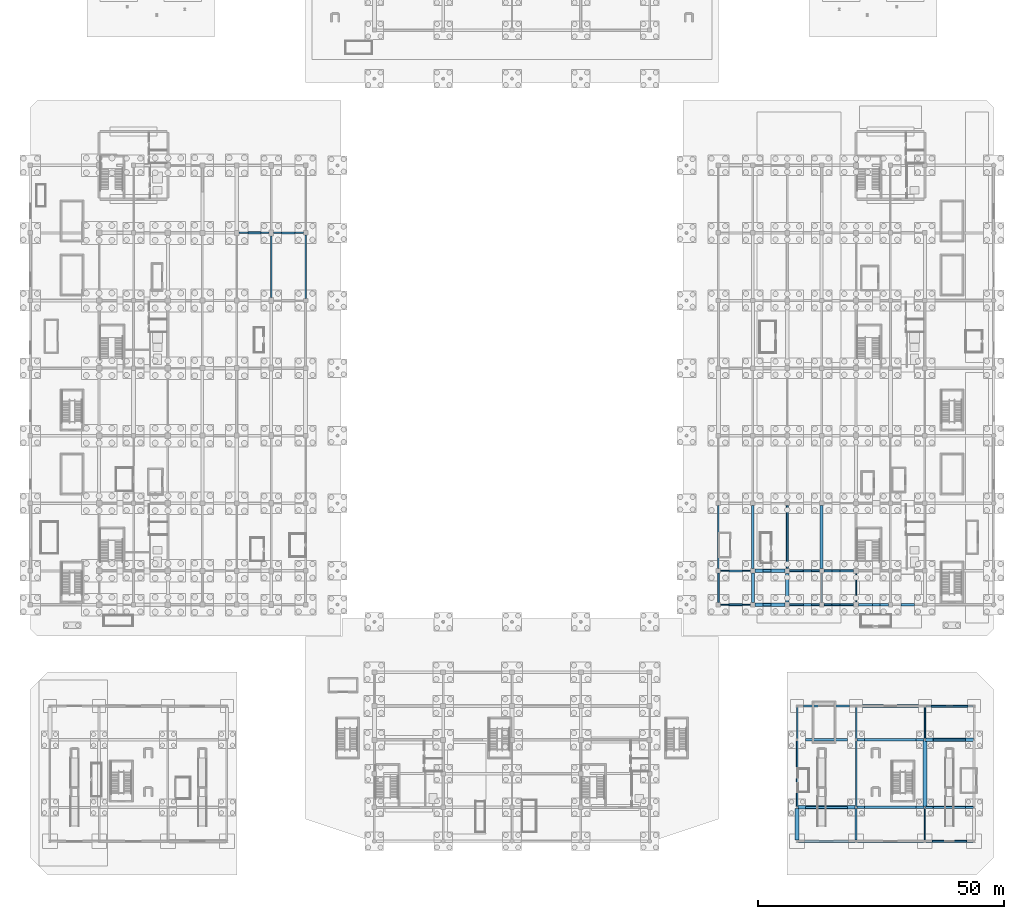
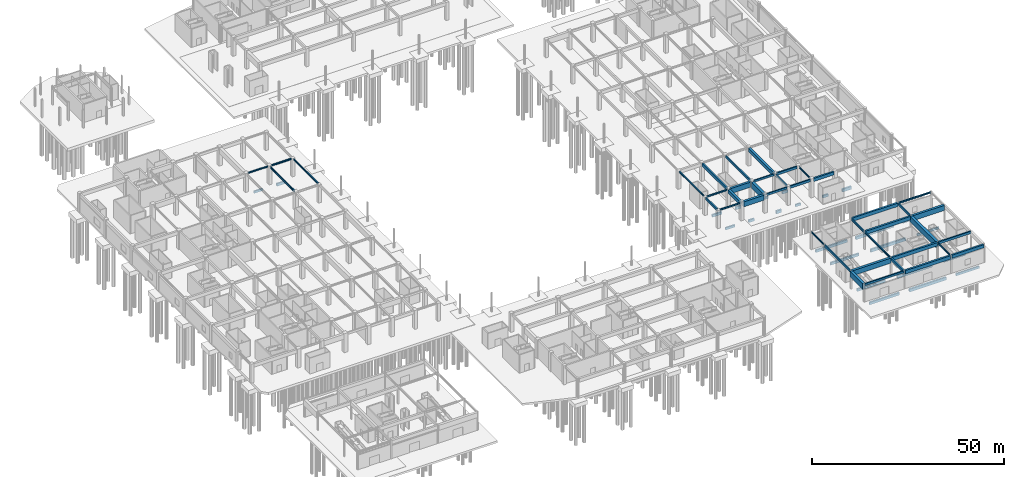
# One storey, part 32 of 62: 65 beams.
"""IFC4 building model written with IfcOpenShell, lengths in metres."""

from ifc_helpers import new_model, si_unit, direction, frame, origin, origin_2d, place, context, subcontext, project, spatial, rectangle, i_section, extrude, material, material_profile, profile_set, type_object, element, save


model = new_model("IFC4")

# Units and contexts
model_context = context("Model", 3, precision=1e-05, world=origin(), true_north=direction((0.0, 1.0)))
body_context = subcontext(model_context, "Body", "Model", "MODEL_VIEW")
ifc_project = project(units=[si_unit("LENGTHUNIT", "METRE"), si_unit("AREAUNIT", "SQUARE_METRE"), si_unit("VOLUMEUNIT", "CUBIC_METRE"), si_unit("PLANEANGLEUNIT", "RADIAN"), si_unit("MASSUNIT", "GRAM", prefix="KILO")], contexts=[model_context])

# Site, building, storey
site_placement = place(None, origin())
site = spatial("IfcSite", under=ifc_project, at=site_placement, CompositionType="ELEMENT")
building_placement = place(site_placement, origin())
building = spatial("IfcBuilding", under=site, at=building_placement, Name="Linyun Crest Stadium", CompositionType="ELEMENT")
storey_placement = place(building_placement, frame((0.0, 0.0, -6.0)))
storey = spatial("IfcBuildingStorey", under=building, at=storey_placement, Name="B1", CompositionType="ELEMENT", Elevation=-6.0)

# Beams
ifc_material_1 = material(Name="Concrete C40", Category="concrete")
ifc_material_profile_1 = material_profile(ifc_material_1, rectangle(XDim=0.35009765625, YDim=0.60009765625, at=origin_2d()), Name="RCB 600x350")
ifc_profile_set_1 = profile_set([ifc_material_profile_1], Name="Concrete C40")
beam_type_1 = type_object("IfcBeamType", Name="B01", PredefinedType="BEAM", material=ifc_profile_set_1)
for number, where, z_axis, x_axis, name in (
    (1, (56.5, -46.0, 5.419921875), (1.0, 0.0, 0.0), (0.0, 1.0, 0.0), "Frame beam B01 B1 382"),
    (2, (56.5, -39.125, 5.419921875), (1.0, 0.0, 0.0), (0.0, 1.0, 0.0), "Frame beam B01 B1 389"),
):
    element("IfcBeam", number, at=place(storey_placement, frame(where, z_axis=z_axis, x_axis=x_axis)), inside=storey, type_object=beam_type_1, Name=name, PredefinedType="BEAM", context=body_context, shape_type="SweptSolid", body=[
        extrude(rectangle(XDim=0.35009765625, YDim=0.60009765625, at=origin_2d()), origin(), (0.0, 0.0, 1.0), 6.050048828125),
    ])
beam_1_placement = place(storey_placement, frame((58.199951171875, -94.125, 5.47998046875), z_axis=(1.0, 0.0, 0.0), x_axis=(0.0, 1.0, 0.0)))
element("IfcBeam", 3, at=beam_1_placement, inside=storey, type_object=beam_type_1, Name="Frame beam B01 B1 992", PredefinedType="BEAM", context=body_context, shape_type="SweptSolid", body=[
    extrude(rectangle(XDim=0.35009765625, YDim=0.60009765625, at=origin_2d()), origin(), (0.0, 0.0, 1.0), 11.60009765625),
])
ifc_material_2 = material(Name="Concrete C40", Category="concrete")
ifc_material_profile_2 = material_profile(ifc_material_2, rectangle(XDim=0.35009765625, YDim=0.64990234375, at=origin_2d()), Name="RCB 650x350")
ifc_profile_set_2 = profile_set([ifc_material_profile_2], Name="Concrete C40")
beam_type_2 = type_object("IfcBeamType", Name="B02", PredefinedType="BEAM", material=ifc_profile_set_2)
beam_2_placement = place(storey_placement, frame((42.0, -45.550048828125, 5.39501953125), z_axis=(0.0, 1.0, 0.0), x_axis=(-1.0, 0.0, 0.0)))
element("IfcBeam", 4, at=beam_2_placement, inside=storey, type_object=beam_type_2, Name="Frame beam B02 B1 425", PredefinedType="BEAM", context=body_context, shape_type="SweptSolid", body=[
    extrude(rectangle(XDim=0.35009765625, YDim=0.64990234375, at=origin_2d()), origin(), (0.0, 0.0, 1.0), 5.97509765625),
])
beam_3_placement = place(storey_placement, frame((56.0, -38.625, 5.39501953125), z_axis=(0.0, 1.0, 0.0), x_axis=(-1.0, 0.0, 0.0)))
element("IfcBeam", 5, at=beam_3_placement, inside=storey, type_object=beam_type_2, Name="Frame beam B02 B1 440", PredefinedType="BEAM", context=body_context, shape_type="SweptSolid", body=[
    extrude(rectangle(XDim=0.35009765625, YDim=0.64990234375, at=origin_2d()), origin(), (0.0, 0.0, 1.0), 12.75),
])
beam_4_placement = place(storey_placement, frame((58.0, -87.074951171875, 5.455078125), z_axis=(0.0, 1.0, 0.0), x_axis=(-1.0, 0.0, 0.0)))
element("IfcBeam", 6, at=beam_4_placement, inside=storey, type_object=beam_type_2, Name="Frame beam B02 B1 1024", PredefinedType="BEAM", context=body_context, shape_type="SweptSolid", body=[
    extrude(rectangle(XDim=0.35009765625, YDim=0.64990234375, at=origin_2d()), origin(), (0.0, 0.0, 1.0), 13.39990234375),
])
beam_5_placement = place(storey_placement, frame((84.0, -73.324951171875, 5.455078125), z_axis=(0.0, 1.0, 0.0), x_axis=(-1.0, 0.0, 0.0)))
element("IfcBeam", 7, at=beam_5_placement, inside=storey, type_object=beam_type_2, Name="Frame beam B02 B1 1031", PredefinedType="BEAM", context=body_context, shape_type="SweptSolid", body=[
    extrude(rectangle(XDim=0.35009765625, YDim=0.64990234375, at=origin_2d()), origin(), (0.0, 0.0, 1.0), 6.5),
])
ifc_material_3 = material(Name="Concrete C40", Category="concrete")
ifc_material_profile_3 = material_profile(ifc_material_3, rectangle(XDim=0.39990234375, YDim=0.75, at=origin_2d()), Name="RCB 750x400")
ifc_profile_set_3 = profile_set([ifc_material_profile_3], Name="Concrete C40")
beam_type_3 = type_object("IfcBeamType", Name="B03", PredefinedType="BEAM", material=ifc_profile_set_3)
for number, where, z_axis, x_axis, name in (
    (8, (63.449951171875, -46.0, 5.344970703125), (1.0, 0.0, 0.0), (0.0, 1.0, 0.0), "Frame beam B03 B1 383"),
    (9, (63.449951171875, -39.125, 5.344970703125), (1.0, 0.0, 0.0), (0.0, 1.0, 0.0), "Frame beam B03 B1 390"),
):
    element("IfcBeam", number, at=place(storey_placement, frame(where, z_axis=z_axis, x_axis=x_axis)), inside=storey, type_object=beam_type_3, Name=name, PredefinedType="BEAM", context=body_context, shape_type="SweptSolid", body=[
        extrude(rectangle(XDim=0.39990234375, YDim=0.75, at=origin_2d()), origin(), (0.0, 0.0, 1.0), 6.050048828125),
    ])
beam_6_placement = place(storey_placement, frame((84.175048828125, -87.25, 5.405029296875), z_axis=(1.0, 0.0, 0.0), x_axis=(0.0, 1.0, 0.0)))
element("IfcBeam", 10, at=beam_6_placement, inside=storey, type_object=beam_type_3, Name="Frame beam B03 B1 1000", PredefinedType="BEAM", context=body_context, shape_type="SweptSolid", body=[
    extrude(rectangle(XDim=0.39990234375, YDim=0.75, at=origin_2d()), origin(), (0.0, 0.0, 1.0), 9.699951171875),
])
ifc_material_4 = material(Name="Concrete C40", Category="concrete")
ifc_material_profile_4 = material_profile(ifc_material_4, rectangle(XDim=0.449951171875, YDim=0.85009765625, at=origin_2d()), Name="RCB 850x450")
ifc_profile_set_4 = profile_set([ifc_material_profile_4], Name="Concrete C40")
beam_type_4 = type_object("IfcBeamType", Name="B04", PredefinedType="BEAM", material=ifc_profile_set_4)
beam_7_placement = place(storey_placement, frame((49.0, -38.675048828125, 5.294921875), z_axis=(0.0, 1.0, 0.0), x_axis=(-1.0, 0.0, 0.0)))
element("IfcBeam", 11, at=beam_7_placement, inside=storey, type_object=beam_type_4, Name="Frame beam B04 B1 433", PredefinedType="BEAM", context=body_context, shape_type="SweptSolid", body=[
    extrude(rectangle(XDim=0.449951171875, YDim=0.85009765625, at=origin_2d()), origin(), (0.0, 0.0, 1.0), 12.85009765625),
])
beam_8_placement = place(storey_placement, frame((70.0, -93.925048828125, 5.35498046875), z_axis=(0.0, 1.0, 0.0), x_axis=(-1.0, 0.0, 0.0)))
element("IfcBeam", 12, at=beam_8_placement, inside=storey, type_object=beam_type_4, Name="Frame beam B04 B1 1026", PredefinedType="BEAM", context=body_context, shape_type="SweptSolid", body=[
    extrude(rectangle(XDim=0.449951171875, YDim=0.85009765625, at=origin_2d()), origin(), (0.0, 0.0, 1.0), 6.5),
])
ifc_material_5 = material(Name="Concrete C40", Category="concrete")
ifc_material_profile_5 = material_profile(ifc_material_5, rectangle(XDim=0.5, YDim=1.0, at=origin_2d()), Name="RCB 1000x500")
ifc_profile_set_5 = profile_set([ifc_material_profile_5], Name="Concrete C40")
beam_type_5 = type_object("IfcBeamType", Name="B05", PredefinedType="BEAM", material=ifc_profile_set_5)
beam_9_placement = place(storey_placement, frame((70.5, -46.0, 5.219970703125), z_axis=(1.0, 0.0, 0.0), x_axis=(0.0, 1.0, 0.0)))
element("IfcBeam", 13, at=beam_9_placement, inside=storey, type_object=beam_type_5, Name="Frame beam B05 B1 384", PredefinedType="BEAM", context=body_context, shape_type="SweptSolid", body=[
    extrude(rectangle(XDim=0.5, YDim=1.0, at=origin_2d()), origin(), (0.0, 0.0, 1.0), 6.050048828125),
])
beam_10_placement = place(storey_placement, frame((84.199951171875, -94.125, 5.280029296875), z_axis=(1.0, 0.0, 0.0), x_axis=(0.0, 1.0, 0.0)))
element("IfcBeam", 14, at=beam_10_placement, inside=storey, type_object=beam_type_5, Name="Frame beam B05 B1 994", PredefinedType="BEAM", context=body_context, shape_type="SweptSolid", body=[
    extrude(rectangle(XDim=0.5, YDim=1.0, at=origin_2d()), origin(), (0.0, 0.0, 1.0), 9.60009765625),
])
ifc_material_6 = material(Name="Steel Q355C", Category="steel")
ifc_material_profile_6 = material_profile(ifc_material_6, i_section(OverallWidth=0.300048828125, OverallDepth=0.389892578125, WebThickness=0.010009765625, FlangeThickness=0.01611328125, at=origin_2d()), Name="HM 390x300")
ifc_profile_set_6 = profile_set([ifc_material_profile_6], Name="Steel Q355C")
beam_type_6 = type_object("IfcBeamType", Name="B06", PredefinedType="BEAM", material=ifc_profile_set_6)
beam_11_placement = place(storey_placement, frame((-55.5, 29.625, 5.554931640625), z_axis=(1.0, 0.0, 0.0), x_axis=(0.0, 1.0, 0.0)))
element("IfcBeam", 15, at=beam_11_placement, inside=storey, type_object=beam_type_6, Name="Frame beam B06 B1 38", PredefinedType="BEAM", context=body_context, shape_type="SweptSolid", body=[
    extrude(i_section(OverallWidth=0.300048828125, OverallDepth=0.389892578125, WebThickness=0.010009765625, FlangeThickness=0.01611328125, at=origin_2d()), origin(), (0.0, 0.0, 1.0), 6.050048828125),
])
ifc_material_7 = material(Name="Steel Q355C", Category="steel")
ifc_material_profile_7 = material_profile(ifc_material_7, i_section(OverallWidth=0.300048828125, OverallDepth=0.43994140625, WebThickness=0.010986328125, FlangeThickness=0.01806640625, at=origin_2d()), Name="HM 440x300")
ifc_profile_set_7 = profile_set([ifc_material_profile_7], Name="Steel Q355C")
beam_type_7 = type_object("IfcBeamType", Name="B07", PredefinedType="BEAM", material=ifc_profile_set_7)
for number, where, z_axis, x_axis, name in (
    (16, (-42.0, 16.324951171875, 5.530029296875), (0.0, 1.0, 0.0), (-1.0, 0.0, 0.0), "Frame beam B07 B1 94"),
    (17, (42.0, -38.675048828125, 5.5), (0.0, 1.0, 0.0), (-1.0, 0.0, 0.0), "Frame beam B07 B1 426"),
):
    element("IfcBeam", number, at=place(storey_placement, frame(where, z_axis=z_axis, x_axis=x_axis)), inside=storey, type_object=beam_type_7, Name=name, PredefinedType="BEAM", context=body_context, shape_type="SweptSolid", body=[
        extrude(i_section(OverallWidth=0.300048828125, OverallDepth=0.43994140625, WebThickness=0.010986328125, FlangeThickness=0.01806640625, at=origin_2d()), origin(), (0.0, 0.0, 1.0), 12.85009765625),
    ])
beam_12_placement = place(storey_placement, frame((58.0, -73.324951171875, 5.56005859375), z_axis=(0.0, 1.0, 0.0), x_axis=(-1.0, 0.0, 0.0)))
element("IfcBeam", 18, at=beam_12_placement, inside=storey, type_object=beam_type_7, Name="Frame beam B07 B1 1025", PredefinedType="BEAM", context=body_context, shape_type="SweptSolid", body=[
    extrude(i_section(OverallWidth=0.300048828125, OverallDepth=0.43994140625, WebThickness=0.010986328125, FlangeThickness=0.01806640625, at=origin_2d()), origin(), (0.0, 0.0, 1.0), 6.5),
])
ifc_material_8 = material(Name="Steel Q355C", Category="steel")
ifc_material_profile_8 = material_profile(ifc_material_8, i_section(OverallWidth=0.300048828125, OverallDepth=0.488037109375, WebThickness=0.010986328125, FlangeThickness=0.01806640625, at=origin_2d()), Name="HM 488x300")
ifc_profile_set_8 = profile_set([ifc_material_profile_8], Name="Steel Q355C")
beam_type_8 = type_object("IfcBeamType", Name="B08", PredefinedType="BEAM", material=ifc_profile_set_8)
beam_13_placement = place(storey_placement, frame((-48.550048828125, 29.625, 5.506103515625), z_axis=(1.0, 0.0, 0.0), x_axis=(0.0, 1.0, 0.0)))
element("IfcBeam", 19, at=beam_13_placement, inside=storey, type_object=beam_type_8, Name="Frame beam B08 B1 39", PredefinedType="BEAM", context=body_context, shape_type="SweptSolid", body=[
    extrude(i_section(OverallWidth=0.300048828125, OverallDepth=0.488037109375, WebThickness=0.010986328125, FlangeThickness=0.01806640625, at=origin_2d()), origin(), (0.0, 0.0, 1.0), 6.10009765625),
])
beam_14_placement = place(storey_placement, frame((84.199951171875, -66.625, 5.535888671875), z_axis=(1.0, 0.0, 0.0), x_axis=(0.0, 1.0, 0.0)))
element("IfcBeam", 20, at=beam_14_placement, inside=storey, type_object=beam_type_8, Name="Frame beam B08 B1 1010", PredefinedType="BEAM", context=body_context, shape_type="SweptSolid", body=[
    extrude(i_section(OverallWidth=0.300048828125, OverallDepth=0.488037109375, WebThickness=0.010986328125, FlangeThickness=0.01806640625, at=origin_2d()), origin(), (0.0, 0.0, 1.0), 9.60009765625),
])
ifc_material_9 = material(Name="Steel Q355C", Category="steel")
ifc_material_profile_9 = material_profile(ifc_material_9, i_section(OverallWidth=0.300048828125, OverallDepth=0.587890625, WebThickness=0.011962890625, FlangeThickness=0.02001953125, at=origin_2d()), Name="HM 588x300")
ifc_profile_set_9 = profile_set([ifc_material_profile_9], Name="Steel Q355C")
beam_type_9 = type_object("IfcBeamType", Name="B09", PredefinedType="BEAM", material=ifc_profile_set_9)
beam_15_placement = place(storey_placement, frame((-49.0, 16.47509765625, 5.4560546875), z_axis=(0.0, 1.0, 0.0), x_axis=(-1.0, 0.0, 0.0)))
element("IfcBeam", 21, at=beam_15_placement, inside=storey, type_object=beam_type_9, Name="Frame beam B09 B1 87", PredefinedType="BEAM", context=body_context, shape_type="SweptSolid", body=[
    extrude(i_section(OverallWidth=0.300048828125, OverallDepth=0.587890625, WebThickness=0.011962890625, FlangeThickness=0.02001953125, at=origin_2d()), origin(), (0.0, 0.0, 1.0), 12.5498046875),
])
beam_16_placement = place(storey_placement, frame((70.0, -87.074951171875, 5.486083984375), z_axis=(0.0, 1.0, 0.0), x_axis=(-1.0, 0.0, 0.0)))
element("IfcBeam", 22, at=beam_16_placement, inside=storey, type_object=beam_type_9, Name="Frame beam B09 B1 1027", PredefinedType="BEAM", context=body_context, shape_type="SweptSolid", body=[
    extrude(i_section(OverallWidth=0.300048828125, OverallDepth=0.587890625, WebThickness=0.011962890625, FlangeThickness=0.02001953125, at=origin_2d()), origin(), (0.0, 0.0, 1.0), 13.39990234375),
])
ifc_material_10 = material(Name="Steel Q355C", Category="steel")
ifc_material_profile_10 = material_profile(ifc_material_10, i_section(OverallWidth=0.199951171875, OverallDepth=0.5, WebThickness=0.010009765625, FlangeThickness=0.01611328125, at=origin_2d()), Name="HN 500x200")
ifc_profile_set_10 = profile_set([ifc_material_profile_10], Name="Steel Q355C")
beam_type_10 = type_object("IfcBeamType", Name="B10", PredefinedType="BEAM", material=ifc_profile_set_10)
for number, where, z_axis, x_axis, name in (
    (23, (42.449951171875, -46.0, 5.469970703125), (1.0, 0.0, 0.0), (0.0, 1.0, 0.0), "Frame beam B10 B1 380"),
    (24, (42.449951171875, -39.125, 5.469970703125), (1.0, 0.0, 0.0), (0.0, 1.0, 0.0), "Frame beam B10 B1 387"),
):
    element("IfcBeam", number, at=place(storey_placement, frame(where, z_axis=z_axis, x_axis=x_axis)), inside=storey, type_object=beam_type_10, Name=name, PredefinedType="BEAM", context=body_context, shape_type="SweptSolid", body=[
        extrude(i_section(OverallWidth=0.199951171875, OverallDepth=0.5, WebThickness=0.010009765625, FlangeThickness=0.01611328125, at=origin_2d()), origin(), (0.0, 0.0, 1.0), 6.10009765625),
    ])
ifc_material_11 = material(Name="Steel Q355C", Category="steel")
ifc_material_profile_11 = material_profile(ifc_material_11, i_section(OverallWidth=0.199951171875, OverallDepth=0.60009765625, WebThickness=0.010986328125, FlangeThickness=0.01708984375, at=origin_2d()), Name="HN 600x200")
ifc_profile_set_11 = profile_set([ifc_material_profile_11], Name="Steel Q355C")
beam_type_11 = type_object("IfcBeamType", Name="B11", PredefinedType="BEAM", material=ifc_profile_set_11)
beam_17_placement = place(storey_placement, frame((70.0, -45.5, 5.419921875), z_axis=(0.0, 1.0, 0.0), x_axis=(-1.0, 0.0, 0.0)))
element("IfcBeam", 25, at=beam_17_placement, inside=storey, type_object=beam_type_11, Name="Frame beam B11 B1 453", PredefinedType="BEAM", context=body_context, shape_type="SweptSolid", body=[
    extrude(i_section(OverallWidth=0.199951171875, OverallDepth=0.60009765625, WebThickness=0.010986328125, FlangeThickness=0.01708984375, at=origin_2d()), origin(), (0.0, 0.0, 1.0), 5.875),
])
beam_18_placement = place(storey_placement, frame((84.0, -93.925048828125, 5.47998046875), z_axis=(0.0, 1.0, 0.0), x_axis=(-1.0, 0.0, 0.0)))
element("IfcBeam", 26, at=beam_18_placement, inside=storey, type_object=beam_type_11, Name="Frame beam B11 B1 1029", PredefinedType="BEAM", context=body_context, shape_type="SweptSolid", body=[
    extrude(i_section(OverallWidth=0.199951171875, OverallDepth=0.60009765625, WebThickness=0.010986328125, FlangeThickness=0.01708984375, at=origin_2d()), origin(), (0.0, 0.0, 1.0), 6.5),
])
ifc_material_12 = material(Name="Steel Q355C", Category="steel")
ifc_material_profile_12 = material_profile(ifc_material_12, i_section(OverallWidth=0.300048828125, OverallDepth=0.699951171875, WebThickness=0.012939453125, FlangeThickness=0.02392578125, at=origin_2d()), Name="HN 700x300")
ifc_profile_set_12 = profile_set([ifc_material_profile_12], Name="Steel Q355C")
beam_type_12 = type_object("IfcBeamType", Name="B12", PredefinedType="BEAM", material=ifc_profile_set_12)
beam_19_placement = place(storey_placement, frame((63.0, -45.550048828125, 5.3701171875), z_axis=(0.0, 1.0, 0.0), x_axis=(-1.0, 0.0, 0.0)))
element("IfcBeam", 27, at=beam_19_placement, inside=storey, type_object=beam_type_12, Name="Frame beam B12 B1 446", PredefinedType="BEAM", context=body_context, shape_type="SweptSolid", body=[
    extrude(i_section(OverallWidth=0.300048828125, OverallDepth=0.699951171875, WebThickness=0.012939453125, FlangeThickness=0.02392578125, at=origin_2d()), origin(), (0.0, 0.0, 1.0), 5.97509765625),
])
beam_20_placement = place(storey_placement, frame((70.0, -73.324951171875, 5.429931640625), z_axis=(0.0, 1.0, 0.0), x_axis=(-1.0, 0.0, 0.0)))
element("IfcBeam", 28, at=beam_20_placement, inside=storey, type_object=beam_type_12, Name="Frame beam B12 B1 1028", PredefinedType="BEAM", context=body_context, shape_type="SweptSolid", body=[
    extrude(i_section(OverallWidth=0.300048828125, OverallDepth=0.699951171875, WebThickness=0.012939453125, FlangeThickness=0.02392578125, at=origin_2d()), origin(), (0.0, 0.0, 1.0), 6.5),
])
ifc_material_13 = material(Name="Concrete C50", Category="concrete")
ifc_material_profile_13 = material_profile(ifc_material_13, rectangle(XDim=0.699951171875, YDim=1.60009765625, at=origin_2d()), Name="RCB 1600x700")
ifc_profile_set_13 = profile_set([ifc_material_profile_13], Name="Concrete C50")
beam_type_13 = type_object("IfcBeamType", Name="B13", PredefinedType="BEAM", material=ifc_profile_set_13)
for number, where, z_axis, x_axis, name in (
    (29, (49.449951171875, -46.0, 4.919921875), (1.0, 0.0, 0.0), (0.0, 1.0, 0.0), "Frame beam B13 B1 381"),
    (30, (49.449951171875, -39.125, 4.919921875), (1.0, 0.0, 0.0), (0.0, 1.0, 0.0), "Frame beam B13 B1 388"),
):
    element("IfcBeam", number, at=place(storey_placement, frame(where, z_axis=z_axis, x_axis=x_axis)), inside=storey, type_object=beam_type_13, Name=name, PredefinedType="BEAM", context=body_context, shape_type="SweptSolid", body=[
        extrude(rectangle(XDim=0.699951171875, YDim=1.60009765625, at=origin_2d()), origin(), (0.0, 0.0, 1.0), 6.050048828125),
    ])
beam_21_placement = place(storey_placement, frame((58.175048828125, -87.25, 4.97998046875), z_axis=(1.0, 0.0, 0.0), x_axis=(0.0, 1.0, 0.0)))
element("IfcBeam", 31, at=beam_21_placement, inside=storey, type_object=beam_type_13, Name="Frame beam B13 B1 998", PredefinedType="BEAM", context=body_context, shape_type="SweptSolid", body=[
    extrude(rectangle(XDim=0.699951171875, YDim=1.60009765625, at=origin_2d()), origin(), (0.0, 0.0, 1.0), 11.64990234375),
])
beam_22_placement = place(storey_placement, frame((84.175048828125, -73.5, 4.97998046875), z_axis=(1.0, 0.0, 0.0), x_axis=(0.0, 1.0, 0.0)))
element("IfcBeam", 32, at=beam_22_placement, inside=storey, type_object=beam_type_13, Name="Frame beam B13 B1 1005", PredefinedType="BEAM", context=body_context, shape_type="SweptSolid", body=[
    extrude(rectangle(XDim=0.699951171875, YDim=1.60009765625, at=origin_2d()), origin(), (0.0, 0.0, 1.0), 9.699951171875),
])
ifc_material_14 = material(Name="Concrete C50", Category="concrete")
ifc_material_profile_14 = material_profile(ifc_material_14, rectangle(XDim=0.800048828125, YDim=1.800048828125, at=origin_2d()), Name="RCB 1800x800")
ifc_profile_set_14 = profile_set([ifc_material_profile_14], Name="Concrete C50")
beam_type_14 = type_object("IfcBeamType", Name="B14", PredefinedType="BEAM", material=ifc_profile_set_14)
beam_23_placement = place(storey_placement, frame((56.0, -45.5, 4.820068359375), z_axis=(0.0, 1.0, 0.0), x_axis=(-1.0, 0.0, 0.0)))
element("IfcBeam", 33, at=beam_23_placement, inside=storey, type_object=beam_type_14, Name="Frame beam B14 B1 439", PredefinedType="BEAM", context=body_context, shape_type="SweptSolid", body=[
    extrude(rectangle(XDim=0.800048828125, YDim=1.800048828125, at=origin_2d()), origin(), (0.0, 0.0, 1.0), 5.875),
])
beam_24_placement = place(storey_placement, frame((58.0, -93.925048828125, 4.8798828125), z_axis=(0.0, 1.0, 0.0), x_axis=(-1.0, 0.0, 0.0)))
element("IfcBeam", 34, at=beam_24_placement, inside=storey, type_object=beam_type_14, Name="Frame beam B14 B1 1023", PredefinedType="BEAM", context=body_context, shape_type="SweptSolid", body=[
    extrude(rectangle(XDim=0.800048828125, YDim=1.800048828125, at=origin_2d()), origin(), (0.0, 0.0, 1.0), 6.5),
])
beam_25_placement = place(storey_placement, frame((84.0, -87.074951171875, 4.8798828125), z_axis=(0.0, 1.0, 0.0), x_axis=(-1.0, 0.0, 0.0)))
element("IfcBeam", 35, at=beam_25_placement, inside=storey, type_object=beam_type_14, Name="Frame beam B14 B1 1030", PredefinedType="BEAM", context=body_context, shape_type="SweptSolid", body=[
    extrude(rectangle(XDim=0.800048828125, YDim=1.800048828125, at=origin_2d()), origin(), (0.0, 0.0, 1.0), 13.39990234375),
])
ifc_material_15 = material(Name="Concrete C40", Category="concrete")
ifc_material_profile_15 = material_profile(ifc_material_15, rectangle(XDim=0.39990234375, YDim=0.699951171875, at=origin_2d()), Name="RCB 700x400")
ifc_profile_set_15 = profile_set([ifc_material_profile_15], Name="Concrete C40")
beam_type_15 = type_object("IfcBeamType", Name="GB01", PredefinedType="BEAM", material=ifc_profile_set_15)
beam_26_placement = place(storey_placement, frame((-53.696044921875, 29.625, -1.10009765625), z_axis=(1.0, 0.0, 0.0), x_axis=(0.0, 1.0, 0.0)))
element("IfcBeam", 36, at=beam_26_placement, inside=storey, type_object=beam_type_15, Name="Ground beam GB01 40", PredefinedType="BEAM", context=body_context, shape_type="SweptSolid", body=[
    extrude(rectangle(XDim=0.39990234375, YDim=0.699951171875, at=origin_2d()), origin(), (0.0, 0.0, 1.0), 2.592041015625),
])
beam_27_placement = place(storey_placement, frame((44.10400390625, -46.0, -1.10009765625), z_axis=(1.0, 0.0, 0.0), x_axis=(0.0, 1.0, 0.0)))
element("IfcBeam", 37, at=beam_27_placement, inside=storey, type_object=beam_type_15, Name="Ground beam GB01 49", PredefinedType="BEAM", context=body_context, shape_type="SweptSolid", body=[
    extrude(rectangle(XDim=0.39990234375, YDim=0.699951171875, at=origin_2d()), origin(), (0.0, 0.0, 1.0), 2.7919921875),
])
for number, where, z_axis, x_axis, name in (
    (38, (65.10400390625, -46.0, -1.10009765625), (1.0, 0.0, 0.0), (0.0, 1.0, 0.0), "Ground beam GB01 52"),
    (39, (59.303955078125, -39.125, -1.10009765625), (1.0, 0.0, 0.0), (0.0, 1.0, 0.0), "Ground beam GB01 58"),
):
    element("IfcBeam", number, at=place(storey_placement, frame(where, z_axis=z_axis, x_axis=x_axis)), inside=storey, type_object=beam_type_15, Name=name, PredefinedType="BEAM", context=body_context, shape_type="SweptSolid", body=[
        extrude(rectangle(XDim=0.39990234375, YDim=0.699951171875, at=origin_2d()), origin(), (0.0, 0.0, 1.0), 1.592041015625),
    ])
beam_28_placement = place(storey_placement, frame((85.50390625, -94.125, -0.949951171875), z_axis=(1.0, 0.0, 0.0), x_axis=(0.0, 1.0, 0.0)))
element("IfcBeam", 40, at=beam_28_placement, inside=storey, type_object=beam_type_15, Name="Ground beam GB01 142", PredefinedType="BEAM", context=body_context, shape_type="SweptSolid", body=[
    extrude(rectangle(XDim=0.39990234375, YDim=0.699951171875, at=origin_2d()), origin(), (0.0, 0.0, 1.0), 6.9921875),
])
for number, where, z_axis, x_axis, name in (
    (41, (85.75390625, -87.25, -0.949951171875), (1.0, 0.0, 0.0), (0.0, 1.0, 0.0), "Ground beam GB01 148"),
    (42, (85.75390625, -73.5, -0.949951171875), (1.0, 0.0, 0.0), (0.0, 1.0, 0.0), "Ground beam GB01 154"),
):
    element("IfcBeam", number, at=place(storey_placement, frame(where, z_axis=z_axis, x_axis=x_axis)), inside=storey, type_object=beam_type_15, Name=name, PredefinedType="BEAM", context=body_context, shape_type="SweptSolid", body=[
        extrude(rectangle(XDim=0.39990234375, YDim=0.699951171875, at=origin_2d()), origin(), (0.0, 0.0, 1.0), 6.4921875),
    ])
beam_29_placement = place(storey_placement, frame((85.303955078125, -66.625, -0.949951171875), z_axis=(1.0, 0.0, 0.0), x_axis=(0.0, 1.0, 0.0)))
element("IfcBeam", 43, at=beam_29_placement, inside=storey, type_object=beam_type_15, Name="Ground beam GB01 160", PredefinedType="BEAM", context=body_context, shape_type="SweptSolid", body=[
    extrude(rectangle(XDim=0.39990234375, YDim=0.699951171875, at=origin_2d()), origin(), (0.0, 0.0, 1.0), 7.39208984375),
])
ifc_material_16 = material(Name="Concrete C40", Category="concrete")
ifc_material_profile_16 = material_profile(ifc_material_16, rectangle(XDim=0.449951171875, YDim=0.800048828125, at=origin_2d()), Name="RCB 800x450")
ifc_profile_set_16 = profile_set([ifc_material_profile_16], Name="Concrete C40")
beam_type_16 = type_object("IfcBeamType", Name="GB02", PredefinedType="BEAM", material=ifc_profile_set_16)
beam_30_placement = place(storey_placement, frame((-46.89599609375, 29.625, -1.14990234375), z_axis=(1.0, 0.0, 0.0), x_axis=(0.0, 1.0, 0.0)))
element("IfcBeam", 44, at=beam_30_placement, inside=storey, type_object=beam_type_16, Name="Ground beam GB02 41", PredefinedType="BEAM", context=body_context, shape_type="SweptSolid", body=[
    extrude(rectangle(XDim=0.449951171875, YDim=0.800048828125, at=origin_2d()), origin(), (0.0, 0.0, 1.0), 2.7919921875),
])
for number, where, z_axis, x_axis, name in (
    (45, (51.10400390625, -46.0, -1.14990234375), (1.0, 0.0, 0.0), (0.0, 1.0, 0.0), "Ground beam GB02 50"),
    (46, (73.303955078125, -46.0, -1.14990234375), (1.0, 0.0, 0.0), (0.0, 1.0, 0.0), "Ground beam GB02 53"),
):
    element("IfcBeam", number, at=place(storey_placement, frame(where, z_axis=z_axis, x_axis=x_axis)), inside=storey, type_object=beam_type_16, Name=name, PredefinedType="BEAM", context=body_context, shape_type="SweptSolid", body=[
        extrude(rectangle(XDim=0.449951171875, YDim=0.800048828125, at=origin_2d()), origin(), (0.0, 0.0, 1.0), 1.592041015625),
    ])
beam_31_placement = place(storey_placement, frame((44.10400390625, -39.125, -1.14990234375), z_axis=(1.0, 0.0, 0.0), x_axis=(0.0, 1.0, 0.0)))
element("IfcBeam", 47, at=beam_31_placement, inside=storey, type_object=beam_type_16, Name="Ground beam GB02 56", PredefinedType="BEAM", context=body_context, shape_type="SweptSolid", body=[
    extrude(rectangle(XDim=0.449951171875, YDim=0.800048828125, at=origin_2d()), origin(), (0.0, 0.0, 1.0), 2.7919921875),
])
beam_32_placement = place(storey_placement, frame((65.10400390625, -39.125, -1.14990234375), z_axis=(1.0, 0.0, 0.0), x_axis=(0.0, 1.0, 0.0)))
element("IfcBeam", 48, at=beam_32_placement, inside=storey, type_object=beam_type_16, Name="Ground beam GB02 59", PredefinedType="BEAM", context=body_context, shape_type="SweptSolid", body=[
    extrude(rectangle(XDim=0.449951171875, YDim=0.800048828125, at=origin_2d()), origin(), (0.0, 0.0, 1.0), 1.592041015625),
])
beam_33_placement = place(storey_placement, frame((59.50390625, -94.125, -1.0), z_axis=(1.0, 0.0, 0.0), x_axis=(0.0, 1.0, 0.0)))
element("IfcBeam", 49, at=beam_33_placement, inside=storey, type_object=beam_type_16, Name="Ground beam GB02 140", PredefinedType="BEAM", context=body_context, shape_type="SweptSolid", body=[
    extrude(rectangle(XDim=0.449951171875, YDim=0.800048828125, at=origin_2d()), origin(), (0.0, 0.0, 1.0), 8.9921875),
])
for number, where, z_axis, x_axis, name in (
    (50, (59.75390625, -87.25, -1.0), (1.0, 0.0, 0.0), (0.0, 1.0, 0.0), "Ground beam GB02 146"),
    (51, (59.75390625, -73.5, -1.0), (1.0, 0.0, 0.0), (0.0, 1.0, 0.0), "Ground beam GB02 152"),
):
    element("IfcBeam", number, at=place(storey_placement, frame(where, z_axis=z_axis, x_axis=x_axis)), inside=storey, type_object=beam_type_16, Name=name, PredefinedType="BEAM", context=body_context, shape_type="SweptSolid", body=[
        extrude(rectangle(XDim=0.449951171875, YDim=0.800048828125, at=origin_2d()), origin(), (0.0, 0.0, 1.0), 8.4921875),
    ])
beam_34_placement = place(storey_placement, frame((59.303955078125, -66.625, -1.0), z_axis=(1.0, 0.0, 0.0), x_axis=(0.0, 1.0, 0.0)))
element("IfcBeam", 52, at=beam_34_placement, inside=storey, type_object=beam_type_16, Name="Ground beam GB02 158", PredefinedType="BEAM", context=body_context, shape_type="SweptSolid", body=[
    extrude(rectangle(XDim=0.449951171875, YDim=0.800048828125, at=origin_2d()), origin(), (0.0, 0.0, 1.0), 9.39208984375),
])
ifc_material_17 = material(Name="Concrete C40", Category="concrete")
ifc_material_profile_17 = material_profile(ifc_material_17, rectangle(XDim=0.5, YDim=0.89990234375, at=origin_2d()), Name="RCB 900x500")
ifc_profile_set_17 = profile_set([ifc_material_profile_17], Name="Concrete C40")
beam_type_17 = type_object("IfcBeamType", Name="GB03", PredefinedType="BEAM", material=ifc_profile_set_17)
beam_35_placement = place(storey_placement, frame((59.303955078125, -46.0, -1.199951171875), z_axis=(1.0, 0.0, 0.0), x_axis=(0.0, 1.0, 0.0)))
element("IfcBeam", 53, at=beam_35_placement, inside=storey, type_object=beam_type_17, Name="Ground beam GB03 51", PredefinedType="BEAM", context=body_context, shape_type="SweptSolid", body=[
    extrude(rectangle(XDim=0.5, YDim=0.89990234375, at=origin_2d()), origin(), (0.0, 0.0, 1.0), 1.592041015625),
])
beam_36_placement = place(storey_placement, frame((79.10400390625, -46.0, -1.199951171875), z_axis=(1.0, 0.0, 0.0), x_axis=(0.0, 1.0, 0.0)))
element("IfcBeam", 54, at=beam_36_placement, inside=storey, type_object=beam_type_17, Name="Ground beam GB03 54", PredefinedType="BEAM", context=body_context, shape_type="SweptSolid", body=[
    extrude(rectangle(XDim=0.5, YDim=0.89990234375, at=origin_2d()), origin(), (0.0, 0.0, 1.0), 2.7919921875),
])
beam_37_placement = place(storey_placement, frame((51.10400390625, -39.125, -1.199951171875), z_axis=(1.0, 0.0, 0.0), x_axis=(0.0, 1.0, 0.0)))
element("IfcBeam", 55, at=beam_37_placement, inside=storey, type_object=beam_type_17, Name="Ground beam GB03 57", PredefinedType="BEAM", context=body_context, shape_type="SweptSolid", body=[
    extrude(rectangle(XDim=0.5, YDim=0.89990234375, at=origin_2d()), origin(), (0.0, 0.0, 1.0), 1.592041015625),
])
beam_38_placement = place(storey_placement, frame((71.50390625, -94.125, -1.050048828125), z_axis=(1.0, 0.0, 0.0), x_axis=(0.0, 1.0, 0.0)))
element("IfcBeam", 56, at=beam_38_placement, inside=storey, type_object=beam_type_17, Name="Ground beam GB03 141", PredefinedType="BEAM", context=body_context, shape_type="SweptSolid", body=[
    extrude(rectangle(XDim=0.5, YDim=0.89990234375, at=origin_2d()), origin(), (0.0, 0.0, 1.0), 10.9921875),
])
for number, where, z_axis, x_axis, name in (
    (57, (71.75390625, -87.25, -1.050048828125), (1.0, 0.0, 0.0), (0.0, 1.0, 0.0), "Ground beam GB03 147"),
    (58, (71.75390625, -73.5, -1.050048828125), (1.0, 0.0, 0.0), (0.0, 1.0, 0.0), "Ground beam GB03 153"),
):
    element("IfcBeam", number, at=place(storey_placement, frame(where, z_axis=z_axis, x_axis=x_axis)), inside=storey, type_object=beam_type_17, Name=name, PredefinedType="BEAM", context=body_context, shape_type="SweptSolid", body=[
        extrude(rectangle(XDim=0.5, YDim=0.89990234375, at=origin_2d()), origin(), (0.0, 0.0, 1.0), 10.4921875),
    ])
beam_39_placement = place(storey_placement, frame((71.303955078125, -66.625, -1.050048828125), z_axis=(1.0, 0.0, 0.0), x_axis=(0.0, 1.0, 0.0)))
element("IfcBeam", 59, at=beam_39_placement, inside=storey, type_object=beam_type_17, Name="Ground beam GB03 159", PredefinedType="BEAM", context=body_context, shape_type="SweptSolid", body=[
    extrude(rectangle(XDim=0.5, YDim=0.89990234375, at=origin_2d()), origin(), (0.0, 0.0, 1.0), 11.39208984375),
])
ifc_material_18 = material(Name="Concrete C50", Category="concrete")
ifc_material_profile_18 = material_profile(ifc_material_18, rectangle(XDim=0.550048828125, YDim=1.10009765625, at=origin_2d()), Name="RCB 1100x550")
ifc_profile_set_18 = profile_set([ifc_material_profile_18], Name="Concrete C50")
beam_type_18 = type_object("IfcBeamType", Name="TB01", PredefinedType="USERDEFINED", material=ifc_profile_set_18)
beam_40_placement = place(storey_placement, frame((70.199951171875, -94.125, 5.22998046875), z_axis=(1.0, 0.0, 0.0), x_axis=(0.0, 1.0, 0.0)))
element("IfcBeam", 60, at=beam_40_placement, inside=storey, type_object=beam_type_18, Name="Frame beam TB01 B1 993", ObjectType="GIRDER", PredefinedType="USERDEFINED", context=body_context, shape_type="SweptSolid", body=[
    extrude(rectangle(XDim=0.550048828125, YDim=1.10009765625, at=origin_2d()), origin(), (0.0, 0.0, 1.0), 13.60009765625),
])
for number, where, z_axis, x_axis, name in (
    (61, (70.175048828125, -87.25, 5.22998046875), (1.0, 0.0, 0.0), (0.0, 1.0, 0.0), "Frame beam TB01 B1 999"),
    (62, (70.175048828125, -73.5, 5.22998046875), (1.0, 0.0, 0.0), (0.0, 1.0, 0.0), "Frame beam TB01 B1 1004"),
):
    element("IfcBeam", number, at=place(storey_placement, frame(where, z_axis=z_axis, x_axis=x_axis)), inside=storey, type_object=beam_type_18, Name=name, ObjectType="GIRDER", PredefinedType="USERDEFINED", context=body_context, shape_type="SweptSolid", body=[
        extrude(rectangle(XDim=0.550048828125, YDim=1.10009765625, at=origin_2d()), origin(), (0.0, 0.0, 1.0), 13.64990234375),
    ])
beam_41_placement = place(storey_placement, frame((70.199951171875, -66.625, 5.22998046875), z_axis=(1.0, 0.0, 0.0), x_axis=(0.0, 1.0, 0.0)))
element("IfcBeam", 63, at=beam_41_placement, inside=storey, type_object=beam_type_18, Name="Frame beam TB01 B1 1009", ObjectType="GIRDER", PredefinedType="USERDEFINED", context=body_context, shape_type="SweptSolid", body=[
    extrude(rectangle(XDim=0.550048828125, YDim=1.10009765625, at=origin_2d()), origin(), (0.0, 0.0, 1.0), 13.60009765625),
])
ifc_material_19 = material(Name="Concrete C50", Category="concrete")
ifc_material_profile_19 = material_profile(ifc_material_19, rectangle(XDim=0.60009765625, YDim=1.199951171875, at=origin_2d()), Name="RCB 1200x600")
ifc_profile_set_19 = profile_set([ifc_material_profile_19], Name="Concrete C50")
beam_type_19 = type_object("IfcBeamType", Name="TB02", PredefinedType="USERDEFINED", material=ifc_profile_set_19)
beam_42_placement = place(storey_placement, frame((49.0, -45.550048828125, 5.1201171875), z_axis=(0.0, 1.0, 0.0), x_axis=(-1.0, 0.0, 0.0)))
element("IfcBeam", 64, at=beam_42_placement, inside=storey, type_object=beam_type_19, Name="Frame beam TB02 B1 432", ObjectType="GIRDER", PredefinedType="USERDEFINED", context=body_context, shape_type="SweptSolid", body=[
    extrude(rectangle(XDim=0.60009765625, YDim=1.199951171875, at=origin_2d()), origin(), (0.0, 0.0, 1.0), 5.97509765625),
])
beam_43_placement = place(storey_placement, frame((63.0, -38.675048828125, 5.1201171875), z_axis=(0.0, 1.0, 0.0), x_axis=(-1.0, 0.0, 0.0)))
element("IfcBeam", 65, at=beam_43_placement, inside=storey, type_object=beam_type_19, Name="Frame beam TB02 B1 447", ObjectType="GIRDER", PredefinedType="USERDEFINED", context=body_context, shape_type="SweptSolid", body=[
    extrude(rectangle(XDim=0.60009765625, YDim=1.199951171875, at=origin_2d()), origin(), (0.0, 0.0, 1.0), 12.85009765625),
])

save(model, "model.ifc")
